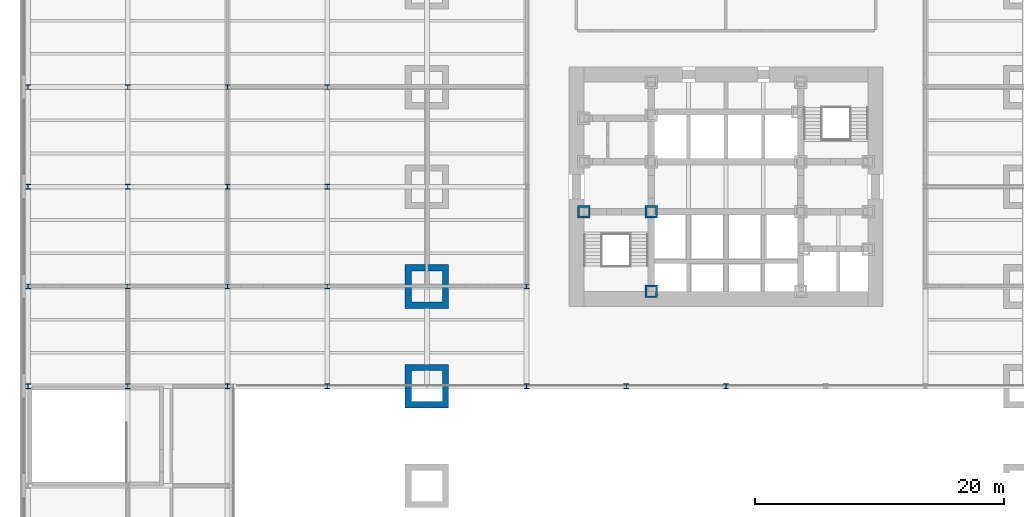
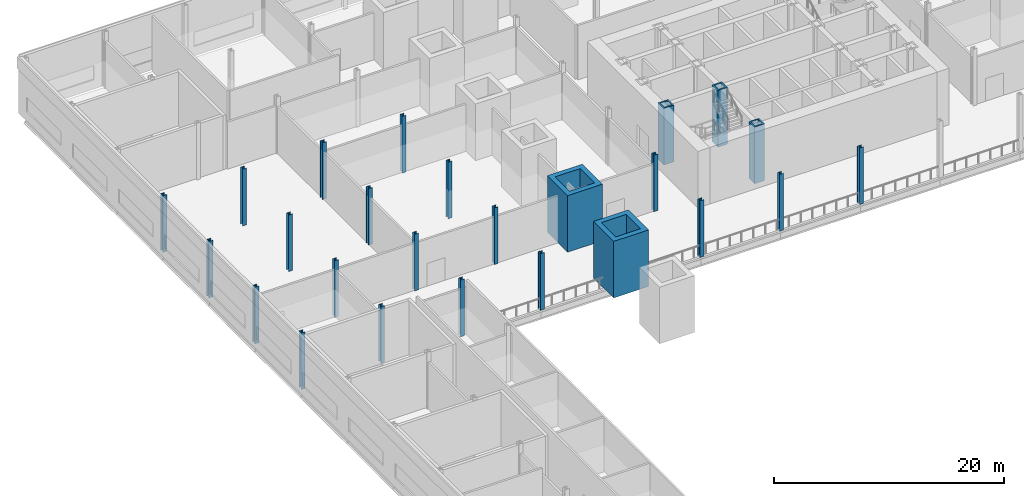
# One storey, part 3 of 21: 25 columns.
"""IFC4 building model written with IfcOpenShell, lengths in metres."""

from ifc_helpers import new_model, si_unit, direction, frame, origin, origin_2d, place, context, subcontext, project, spatial, hollow_rectangle, i_section, extrude, material, material_profile, profile_set, type_object, element, save


model = new_model("IFC4")

# Units and contexts
model_context = context("Model", 3, precision=1e-05, world=origin(), true_north=direction((0.0, 1.0)))
body_context = subcontext(model_context, "Body", "Model", "MODEL_VIEW")
ifc_project = project(units=[si_unit("LENGTHUNIT", "METRE"), si_unit("AREAUNIT", "SQUARE_METRE"), si_unit("VOLUMEUNIT", "CUBIC_METRE"), si_unit("PLANEANGLEUNIT", "RADIAN"), si_unit("MASSUNIT", "GRAM", prefix="KILO")], contexts=[model_context])

# Site, building, storey
site_placement = place(None, origin())
site = spatial("IfcSite", under=ifc_project, at=site_placement, CompositionType="ELEMENT")
building_placement = place(site_placement, origin())
building = spatial("IfcBuilding", under=site, at=building_placement, Name="Daluyong Arena Tower", CompositionType="ELEMENT")
storey_placement = place(building_placement, frame((0.0, 0.0, 19.89990234375)))
storey = spatial("IfcBuildingStorey", under=building, at=storey_placement, Name="L04", CompositionType="ELEMENT", Elevation=19.89990234375)

# Columns
ifc_material_1 = material(Name="Steel ASTM A588 Grade 50", Category="steel")
ifc_material_profile_1 = material_profile(ifc_material_1, hollow_rectangle(XDim=1.0, YDim=1.0, WallThickness=0.15, at=origin_2d()))
ifc_profile_set_1 = profile_set([ifc_material_profile_1], Name="Steel ASTM A588 Grade 50")
column_type_1 = type_object("IfcColumnType", Name="Core boundary column BX1000X150", PredefinedType="COLUMN", material=ifc_profile_set_1)
for number, where, z_axis, x_axis, name in (
    (1, (44.60009765625, 78.0, 0.0), (0.0, 0.0, 1.0), (1.0, 0.0, 0.0), "core boundary column BC1"),
    (2, (50.0, 71.60009765625, 0.0), (0.0, 0.0, 1.0), (1.0, 0.0, 0.0), "core boundary column BC1"),
    (3, (50.0, 78.0, 0.0), (0.0, 0.0, 1.0), (1.0, 0.0, 0.0), "core boundary column BC1"),
):
    element("IfcColumn", number, at=place(storey_placement, frame(where, z_axis=z_axis, x_axis=x_axis)), inside=storey, type_object=column_type_1, Name=name, PredefinedType="COLUMN", context=body_context, shape_type="SweptSolid", body=[
        extrude(hollow_rectangle(XDim=1.0, YDim=1.0, WallThickness=0.15, at=origin_2d()), origin(), (0.0, 0.0, 1.0), 6.0),
    ])
ifc_material_2 = material(Name="Steel ASTM A992 Grade 50", Category="steel")
ifc_material_profile_2 = material_profile(ifc_material_2, i_section(OverallWidth=0.398681640625, OverallDepth=0.385986328125, WebThickness=0.02099609375, FlangeThickness=0.033203125, at=origin_2d()))
ifc_profile_set_2 = profile_set([ifc_material_profile_2], Name="Steel ASTM A992 Grade 50")
column_type_2 = type_object("IfcColumnType", Name="Podium column W14X176", PredefinedType="COLUMN", material=ifc_profile_set_2)
for number, where, z_axis, x_axis, name in (
    (4, (0.0, 64.0, 0.0), (0.0, 0.0, 1.0), (1.0, 0.0, 0.0), "podium column PC3"),
    (5, (0.0, 72.0, 0.0), (0.0, 0.0, 1.0), (1.0, 0.0, 0.0), "podium column PC3"),
    (6, (0.0, 80.0, 0.0), (0.0, 0.0, 1.0), (1.0, 0.0, 0.0), "podium column PC3"),
    (7, (0.0, 88.0, 0.0), (0.0, 0.0, 1.0), (1.0, 0.0, 0.0), "podium column PC3"),
    (8, (8.0, 64.0, 0.0), (0.0, 0.0, 1.0), (1.0, 0.0, 0.0), "podium column PC3"),
    (9, (8.0, 72.0, 0.0), (0.0, 0.0, 1.0), (1.0, 0.0, 0.0), "podium column PC3"),
    (10, (8.0, 80.0, 0.0), (0.0, 0.0, 1.0), (1.0, 0.0, 0.0), "podium column PC3"),
    (11, (8.0, 88.0, 0.0), (0.0, 0.0, 1.0), (1.0, 0.0, 0.0), "podium column PC3"),
    (12, (16.0, 64.0, 0.0), (0.0, 0.0, 1.0), (1.0, 0.0, 0.0), "podium column PC3"),
    (13, (16.0, 72.0, 0.0), (0.0, 0.0, 1.0), (1.0, 0.0, 0.0), "podium column PC3"),
    (14, (16.0, 80.0, 0.0), (0.0, 0.0, 1.0), (1.0, 0.0, 0.0), "podium column PC3"),
    (15, (16.0, 88.0, 0.0), (0.0, 0.0, 1.0), (1.0, 0.0, 0.0), "podium column PC3"),
    (16, (24.0, 64.0, 0.0), (0.0, 0.0, 1.0), (1.0, 0.0, 0.0), "podium column PC3"),
    (17, (24.0, 72.0, 0.0), (0.0, 0.0, 1.0), (1.0, 0.0, 0.0), "podium column PC3"),
    (18, (24.0, 80.0, 0.0), (0.0, 0.0, 1.0), (1.0, 0.0, 0.0), "podium column PC3"),
    (19, (24.0, 88.0, 0.0), (0.0, 0.0, 1.0), (1.0, 0.0, 0.0), "podium column PC3"),
    (20, (40.0, 64.0, 0.0), (0.0, 0.0, 1.0), (1.0, 0.0, 0.0), "podium column PC3"),
    (21, (40.0, 72.0, 0.0), (0.0, 0.0, 1.0), (1.0, 0.0, 0.0), "podium column PC3"),
    (22, (48.0, 64.0, 0.0), (0.0, 0.0, 1.0), (1.0, 0.0, 0.0), "podium column PC3"),
    (23, (56.0, 64.0, 0.0), (0.0, 0.0, 1.0), (1.0, 0.0, 0.0), "podium column PC3"),
):
    element("IfcColumn", number, at=place(storey_placement, frame(where, z_axis=z_axis, x_axis=x_axis)), inside=storey, type_object=column_type_2, Name=name, PredefinedType="COLUMN", context=body_context, shape_type="SweptSolid", body=[
        extrude(i_section(OverallWidth=0.398681640625, OverallDepth=0.385986328125, WebThickness=0.02099609375, FlangeThickness=0.033203125, at=origin_2d()), origin(), (0.0, 0.0, 1.0), 6.0),
    ])
ifc_material_3 = material(Name="Steel ASTM A36", Category="steel")
ifc_material_profile_3 = material_profile(ifc_material_3, hollow_rectangle(XDim=3.5, YDim=3.5, WallThickness=0.5, at=origin_2d()))
ifc_profile_set_3 = profile_set([ifc_material_profile_3], Name="Steel ASTM A36")
column_type_3 = type_object("IfcColumnType", Name="Podium megacolumn BX3500X500", PredefinedType="COLUMN", material=ifc_profile_set_3)
for number, where, z_axis, x_axis, name in (
    (24, (32.0, 64.0, 0.0), (0.0, 0.0, 1.0), (1.0, 0.0, 0.0), "podium megacolumn MC1"),
    (25, (32.0, 72.0, 0.0), (0.0, 0.0, 1.0), (1.0, 0.0, 0.0), "podium megacolumn MC1"),
):
    element("IfcColumn", number, at=place(storey_placement, frame(where, z_axis=z_axis, x_axis=x_axis)), inside=storey, type_object=column_type_3, Name=name, PredefinedType="COLUMN", context=body_context, shape_type="SweptSolid", body=[
        extrude(hollow_rectangle(XDim=3.5, YDim=3.5, WallThickness=0.5, at=origin_2d()), origin(), (0.0, 0.0, 1.0), 6.0),
    ])

save(model, "model.ifc")
